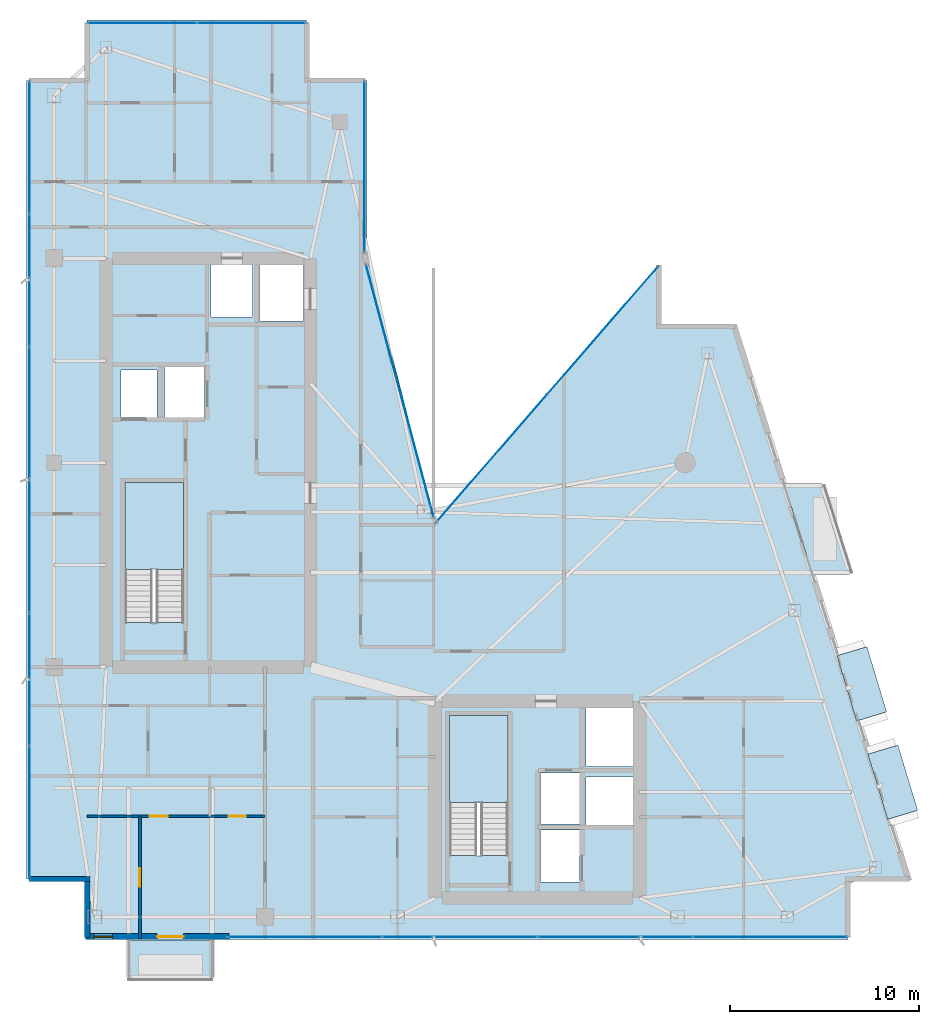
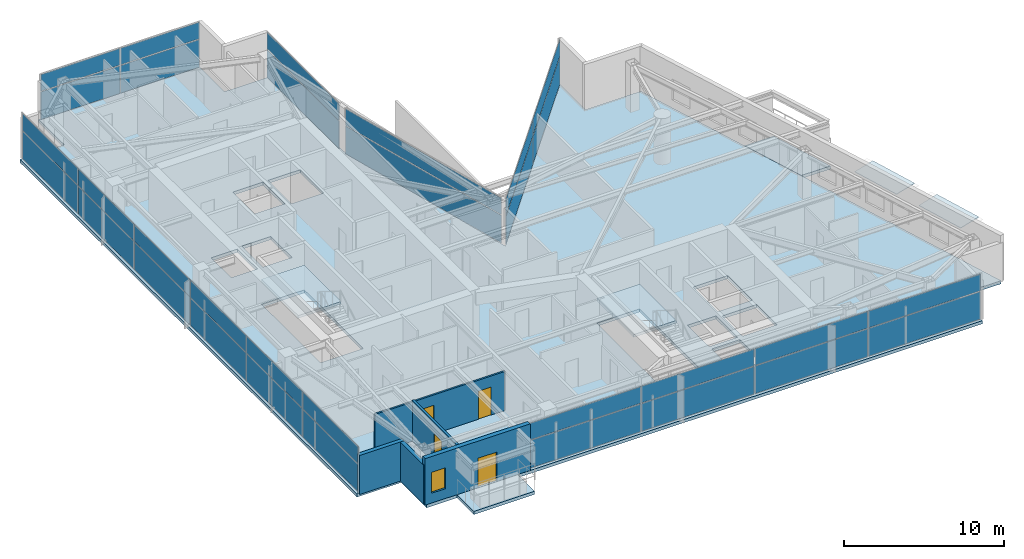
# One storey, part 23 of 29: 34 plates, 5 slabs, 5 walls, 4 doors, 1 window, 5 openings, 8 elements without a shape of their own.
"""IFC4 building model written with IfcOpenShell, lengths in metres."""

from ifc_helpers import new_model, si_unit, direction, frame, frame_2d, origin, origin_2d, place, context, subcontext, project, spatial, polyline, rectangle, outline, extrude, material, layer, layer_set, type_object, element, fill, aggregate, save


model = new_model("IFC4")

# Units and contexts
model_context = context("Model", 3, precision=1e-05, world=origin(), true_north=direction((0.0, 1.0)))
body_context = subcontext(model_context, "Body", "Model", "MODEL_VIEW")
ifc_project = project(units=[si_unit("LENGTHUNIT", "METRE"), si_unit("AREAUNIT", "SQUARE_METRE"), si_unit("VOLUMEUNIT", "CUBIC_METRE"), si_unit("PLANEANGLEUNIT", "RADIAN"), si_unit("MASSUNIT", "GRAM", prefix="KILO")], contexts=[model_context])

# Site, building, storey
site_placement = place(None, origin())
site = spatial("IfcSite", under=ifc_project, at=site_placement, CompositionType="ELEMENT")
building_placement = place(site_placement, origin())
building = spatial("IfcBuilding", under=site, at=building_placement, Name="Calvorn Quay Hotel", CompositionType="ELEMENT")
storey_placement = place(building_placement, frame((0.0, 0.0, 255.199951171875)))
storey = spatial("IfcBuildingStorey", under=building, at=storey_placement, Name="L63", CompositionType="ELEMENT", Elevation=255.199951171875)

# Curtain wall, plates
ifc_material_1 = material(Name="Champagne Bronze Anodised Aluminium and Low-E Glass", Category="aluminium")
ifc_layer_1 = layer(ifc_material_1, 0.219970703125)
ifc_layer_set_1 = layer_set([ifc_layer_1], Name="CW-SYS-Z4")
curtain_wall_type = type_object("IfcCurtainWallType", Name="CW-SYS-Z4", PredefinedType="NOTDEFINED", material=ifc_layer_set_1)
curtain_wall_1_placement = place(storey_placement, origin())
curtain_wall_1 = element("IfcCurtainWall", 1, at=curtain_wall_1_placement, inside=storey, type_object=curtain_wall_type, Name="Tower West Curtain Wall (L63)", PredefinedType="NOTDEFINED")
ifc_material_2 = material(Name="Low-E Laminated Double Glazing", Category="glass")
ifc_layer_2 = layer(ifc_material_2, 0.028076171875)
ifc_layer_set_2 = layer_set([ifc_layer_2], Name="CW-SYS-Z4-PAN")
plate_type_1 = type_object("IfcPlateType", Name="CW-SYS-Z4-PAN", PredefinedType="CURTAIN_PANEL", material=ifc_layer_set_2)
plate_1_placement = place(storey_placement, frame((0.14990234375, 9.131591796875, 0.06005859375), z_axis=(0.0, 0.0, 1.0), x_axis=(0.0, 1.0, 0.0)))
plate_1 = element("IfcPlate", 2, at=plate_1_placement, type_object=plate_type_1, Name="CW-L63-W panel 1.1", PredefinedType="CURTAIN_PANEL", context=body_context, shape_type="SweptSolid", body=[
    extrude(rectangle(XDim=6.943359375, YDim=0.028076171875, at=origin_2d()), origin(), (0.0, 0.0, 1.0), 2.110107421875),
])
plate_2_placement = place(storey_placement, frame((0.14990234375, 9.131591796875, 2.22998046875), z_axis=(0.0, 0.0, 1.0), x_axis=(0.0, 1.0, 0.0)))
plate_2 = element("IfcPlate", 3, at=plate_2_placement, type_object=plate_type_1, Name="CW-L63-W panel 1.2", PredefinedType="CURTAIN_PANEL", context=body_context, shape_type="SweptSolid", body=[
    extrude(rectangle(XDim=6.943359375, YDim=0.028076171875, at=origin_2d()), origin(), (0.0, 0.0, 1.0), 1.27001953125),
])
plate_3_placement = place(storey_placement, frame((0.14990234375, 16.14990234375, 0.06005859375), z_axis=(0.0, 0.0, 1.0), x_axis=(0.0, 1.0, 0.0)))
plate_3 = element("IfcPlate", 4, at=plate_3_placement, type_object=plate_type_1, Name="CW-L63-W panel 2.1", PredefinedType="CURTAIN_PANEL", context=body_context, shape_type="SweptSolid", body=[
    extrude(rectangle(XDim=6.973388671875, YDim=0.028076171875, at=origin_2d()), origin(), (0.0, 0.0, 1.0), 2.110107421875),
])
plate_4_placement = place(storey_placement, frame((0.14990234375, 16.14990234375, 2.22998046875), z_axis=(0.0, 0.0, 1.0), x_axis=(0.0, 1.0, 0.0)))
plate_4 = element("IfcPlate", 5, at=plate_4_placement, type_object=plate_type_1, Name="CW-L63-W panel 2.2", PredefinedType="CURTAIN_PANEL", context=body_context, shape_type="SweptSolid", body=[
    extrude(rectangle(XDim=6.973388671875, YDim=0.028076171875, at=origin_2d()), origin(), (0.0, 0.0, 1.0), 1.27001953125),
])
plate_5_placement = place(storey_placement, frame((0.14990234375, 23.183349609375, 0.06005859375), z_axis=(0.0, 0.0, 1.0), x_axis=(0.0, 1.0, 0.0)))
plate_5 = element("IfcPlate", 6, at=plate_5_placement, type_object=plate_type_1, Name="CW-L63-W panel 3.1", PredefinedType="CURTAIN_PANEL", context=body_context, shape_type="SweptSolid", body=[
    extrude(rectangle(XDim=6.973388671875, YDim=0.028076171875, at=origin_2d()), origin(), (0.0, 0.0, 1.0), 2.110107421875),
])
plate_6_placement = place(storey_placement, frame((0.14990234375, 23.183349609375, 2.22998046875), z_axis=(0.0, 0.0, 1.0), x_axis=(0.0, 1.0, 0.0)))
plate_6 = element("IfcPlate", 7, at=plate_6_placement, type_object=plate_type_1, Name="CW-L63-W panel 3.2", PredefinedType="CURTAIN_PANEL", context=body_context, shape_type="SweptSolid", body=[
    extrude(rectangle(XDim=6.973388671875, YDim=0.028076171875, at=origin_2d()), origin(), (0.0, 0.0, 1.0), 1.27001953125),
])
plate_7_placement = place(storey_placement, frame((0.14990234375, 30.216552734375, 0.06005859375), z_axis=(0.0, 0.0, 1.0), x_axis=(0.0, 1.0, 0.0)))
plate_7 = element("IfcPlate", 8, at=plate_7_placement, type_object=plate_type_1, Name="CW-L63-W panel 4.1", PredefinedType="CURTAIN_PANEL", context=body_context, shape_type="SweptSolid", body=[
    extrude(rectangle(XDim=6.973388671875, YDim=0.028076171875, at=origin_2d()), origin(), (0.0, 0.0, 1.0), 2.110107421875),
])
plate_8_placement = place(storey_placement, frame((0.14990234375, 30.216552734375, 2.22998046875), z_axis=(0.0, 0.0, 1.0), x_axis=(0.0, 1.0, 0.0)))
plate_8 = element("IfcPlate", 9, at=plate_8_placement, type_object=plate_type_1, Name="CW-L63-W panel 4.2", PredefinedType="CURTAIN_PANEL", context=body_context, shape_type="SweptSolid", body=[
    extrude(rectangle(XDim=6.973388671875, YDim=0.028076171875, at=origin_2d()), origin(), (0.0, 0.0, 1.0), 1.27001953125),
])
plate_9_placement = place(storey_placement, frame((0.14990234375, 37.25, 0.06005859375), z_axis=(0.0, 0.0, 1.0), x_axis=(0.0, 1.0, 0.0)))
plate_9 = element("IfcPlate", 10, at=plate_9_placement, type_object=plate_type_1, Name="CW-L63-W panel 5.1", PredefinedType="CURTAIN_PANEL", context=body_context, shape_type="SweptSolid", body=[
    extrude(rectangle(XDim=6.973388671875, YDim=0.028076171875, at=origin_2d()), origin(), (0.0, 0.0, 1.0), 2.110107421875),
])
plate_10_placement = place(storey_placement, frame((0.14990234375, 37.25, 2.22998046875), z_axis=(0.0, 0.0, 1.0), x_axis=(0.0, 1.0, 0.0)))
plate_10 = element("IfcPlate", 11, at=plate_10_placement, type_object=plate_type_1, Name="CW-L63-W panel 5.2", PredefinedType="CURTAIN_PANEL", context=body_context, shape_type="SweptSolid", body=[
    extrude(rectangle(XDim=6.973388671875, YDim=0.028076171875, at=origin_2d()), origin(), (0.0, 0.0, 1.0), 1.27001953125),
])
plate_11_placement = place(storey_placement, frame((0.14990234375, 44.268310546875, 0.06005859375), z_axis=(0.0, 0.0, 1.0), x_axis=(0.0, 1.0, 0.0)))
plate_11 = element("IfcPlate", 12, at=plate_11_placement, type_object=plate_type_1, Name="CW-L63-W panel 6.1", PredefinedType="CURTAIN_PANEL", context=body_context, shape_type="SweptSolid", body=[
    extrude(rectangle(XDim=6.943359375, YDim=0.028076171875, at=origin_2d()), origin(), (0.0, 0.0, 1.0), 2.110107421875),
])
plate_12_placement = place(storey_placement, frame((0.14990234375, 44.268310546875, 2.22998046875), z_axis=(0.0, 0.0, 1.0), x_axis=(0.0, 1.0, 0.0)))
plate_12 = element("IfcPlate", 13, at=plate_12_placement, type_object=plate_type_1, Name="CW-L63-W panel 6.2", PredefinedType="CURTAIN_PANEL", context=body_context, shape_type="SweptSolid", body=[
    extrude(rectangle(XDim=6.943359375, YDim=0.028076171875, at=origin_2d()), origin(), (0.0, 0.0, 1.0), 1.27001953125),
])
aggregate(curtain_wall_1, [plate_1, plate_2, plate_3, plate_4, plate_5, plate_6, plate_7, plate_8, plate_9, plate_10, plate_11, plate_12])

curtain_wall_2_placement = place(storey_placement, origin())
curtain_wall_2 = element("IfcCurtainWall", 14, at=curtain_wall_2_placement, inside=storey, type_object=curtain_wall_type, Name="Tower South Waterfront Curtain Wall (L63)", PredefinedType="NOTDEFINED")
plate_13_placement = place(storey_placement, frame((14.715087890625, 2.550048828125, 0.06005859375), z_axis=(0.0, 0.0, 1.0), x_axis=(1.0, 0.0, 0.0)))
plate_13 = element("IfcPlate", 15, at=plate_13_placement, type_object=plate_type_1, Name="CW-L63-S panel 1.1", PredefinedType="CURTAIN_PANEL", context=body_context, shape_type="SweptSolid", body=[
    extrude(rectangle(XDim=8.110107421875, YDim=0.028076171875, at=origin_2d()), origin(), (0.0, 0.0, 1.0), 2.110107421875),
])
plate_14_placement = place(storey_placement, frame((14.715087890625, 2.550048828125, 2.22998046875), z_axis=(0.0, 0.0, 1.0), x_axis=(1.0, 0.0, 0.0)))
plate_14 = element("IfcPlate", 16, at=plate_14_placement, type_object=plate_type_1, Name="CW-L63-S panel 1.2", PredefinedType="CURTAIN_PANEL", context=body_context, shape_type="SweptSolid", body=[
    extrude(rectangle(XDim=8.110107421875, YDim=0.028076171875, at=origin_2d()), origin(), (0.0, 0.0, 1.0), 1.27001953125),
])
plate_15_placement = place(storey_placement, frame((22.89990234375, 2.550048828125, 0.06005859375), z_axis=(0.0, 0.0, 1.0), x_axis=(1.0, 0.0, 0.0)))
plate_15 = element("IfcPlate", 17, at=plate_15_placement, type_object=plate_type_1, Name="CW-L63-S panel 2.1", PredefinedType="CURTAIN_PANEL", context=body_context, shape_type="SweptSolid", body=[
    extrude(rectangle(XDim=8.139892578125, YDim=0.028076171875, at=origin_2d()), origin(), (0.0, 0.0, 1.0), 2.110107421875),
])
plate_16_placement = place(storey_placement, frame((22.89990234375, 2.550048828125, 2.22998046875), z_axis=(0.0, 0.0, 1.0), x_axis=(1.0, 0.0, 0.0)))
plate_16 = element("IfcPlate", 18, at=plate_16_placement, type_object=plate_type_1, Name="CW-L63-S panel 2.2", PredefinedType="CURTAIN_PANEL", context=body_context, shape_type="SweptSolid", body=[
    extrude(rectangle(XDim=8.139892578125, YDim=0.028076171875, at=origin_2d()), origin(), (0.0, 0.0, 1.0), 1.27001953125),
])
plate_17_placement = place(storey_placement, frame((31.10009765625, 2.550048828125, 0.06005859375), z_axis=(0.0, 0.0, 1.0), x_axis=(1.0, 0.0, 0.0)))
plate_17 = element("IfcPlate", 19, at=plate_17_placement, type_object=plate_type_1, Name="CW-L63-S panel 3.1", PredefinedType="CURTAIN_PANEL", context=body_context, shape_type="SweptSolid", body=[
    extrude(rectangle(XDim=8.139892578125, YDim=0.028076171875, at=origin_2d()), origin(), (0.0, 0.0, 1.0), 2.110107421875),
])
plate_18_placement = place(storey_placement, frame((31.10009765625, 2.550048828125, 2.22998046875), z_axis=(0.0, 0.0, 1.0), x_axis=(1.0, 0.0, 0.0)))
plate_18 = element("IfcPlate", 20, at=plate_18_placement, type_object=plate_type_1, Name="CW-L63-S panel 3.2", PredefinedType="CURTAIN_PANEL", context=body_context, shape_type="SweptSolid", body=[
    extrude(rectangle(XDim=8.139892578125, YDim=0.028076171875, at=origin_2d()), origin(), (0.0, 0.0, 1.0), 1.27001953125),
])
plate_19_placement = place(storey_placement, frame((39.284912109375, 2.550048828125, 0.06005859375), z_axis=(0.0, 0.0, 1.0), x_axis=(1.0, 0.0, 0.0)))
plate_19 = element("IfcPlate", 21, at=plate_19_placement, type_object=plate_type_1, Name="CW-L63-S panel 4.1", PredefinedType="CURTAIN_PANEL", context=body_context, shape_type="SweptSolid", body=[
    extrude(rectangle(XDim=8.110107421875, YDim=0.028076171875, at=origin_2d()), origin(), (0.0, 0.0, 1.0), 2.110107421875),
])
plate_20_placement = place(storey_placement, frame((39.284912109375, 2.550048828125, 2.22998046875), z_axis=(0.0, 0.0, 1.0), x_axis=(1.0, 0.0, 0.0)))
plate_20 = element("IfcPlate", 22, at=plate_20_placement, type_object=plate_type_1, Name="CW-L63-S panel 4.2", PredefinedType="CURTAIN_PANEL", context=body_context, shape_type="SweptSolid", body=[
    extrude(rectangle(XDim=8.110107421875, YDim=0.028076171875, at=origin_2d()), origin(), (0.0, 0.0, 1.0), 1.27001953125),
])
aggregate(curtain_wall_2, [plate_13, plate_14, plate_15, plate_16, plate_17, plate_18, plate_19, plate_20])

curtain_wall_3_placement = place(storey_placement, origin())
curtain_wall_3 = element("IfcCurtainWall", 23, at=curtain_wall_3_placement, inside=storey, type_object=curtain_wall_type, Name="Inner Court Curtain Wall L63-NE1", PredefinedType="NOTDEFINED")
plate_21_placement = place(storey_placement, frame((30.440185546875, 34.588623046875, 0.06005859375), z_axis=(0.0, 0.0, 1.0), x_axis=(-0.655353317216, -0.755322467304, 0.0)))
plate_21 = element("IfcPlate", 24, at=plate_21_placement, type_object=plate_type_1, Name="CW-L63-NE1 panel 1.1", PredefinedType="CURTAIN_PANEL", context=body_context, shape_type="SweptSolid", body=[
    extrude(rectangle(XDim=8.912841796875, YDim=0.028076171875, at=origin_2d()), origin(), (0.0, 0.0, 1.0), 2.110107421875),
])
plate_22_placement = place(storey_placement, frame((30.440185546875, 34.588623046875, 2.22998046875), z_axis=(0.0, 0.0, 1.0), x_axis=(-0.655353317216, -0.755322467304, 0.0)))
plate_22 = element("IfcPlate", 25, at=plate_22_placement, type_object=plate_type_1, Name="CW-L63-NE1 panel 1.2", PredefinedType="CURTAIN_PANEL", context=body_context, shape_type="SweptSolid", body=[
    extrude(rectangle(XDim=8.912841796875, YDim=0.028076171875, at=origin_2d()), origin(), (0.0, 0.0, 1.0), 1.27001953125),
])
plate_23_placement = place(storey_placement, frame((24.559814453125, 27.811279296875, 0.06005859375), z_axis=(0.0, 0.0, 1.0), x_axis=(-0.655353317216, -0.755322467304, 0.0)))
plate_23 = element("IfcPlate", 26, at=plate_23_placement, type_object=plate_type_1, Name="CW-L63-NE1 panel 2.1", PredefinedType="CURTAIN_PANEL", context=body_context, shape_type="SweptSolid", body=[
    extrude(rectangle(XDim=8.912841796875, YDim=0.028076171875, at=origin_2d()), origin(), (0.0, 0.0, 1.0), 2.110107421875),
])
plate_24_placement = place(storey_placement, frame((24.559814453125, 27.811279296875, 2.22998046875), z_axis=(0.0, 0.0, 1.0), x_axis=(-0.655353317216, -0.755322467304, 0.0)))
plate_24 = element("IfcPlate", 27, at=plate_24_placement, type_object=plate_type_1, Name="CW-L63-NE1 panel 2.2", PredefinedType="CURTAIN_PANEL", context=body_context, shape_type="SweptSolid", body=[
    extrude(rectangle(XDim=8.912841796875, YDim=0.028076171875, at=origin_2d()), origin(), (0.0, 0.0, 1.0), 1.27001953125),
])
aggregate(curtain_wall_3, [plate_21, plate_22, plate_23, plate_24])

curtain_wall_4_placement = place(storey_placement, origin())
curtain_wall_4 = element("IfcCurtainWall", 28, at=curtain_wall_4_placement, inside=storey, type_object=curtain_wall_type, Name="Inner Court Curtain Wall L63-IC1", PredefinedType="NOTDEFINED")
plate_25_placement = place(storey_placement, frame((19.72509765625, 31.39990234375, 0.06005859375), z_axis=(0.0, 0.0, 1.0), x_axis=(-0.25877913024, 0.96593652056, 0.0)))
plate_25 = element("IfcPlate", 29, at=plate_25_placement, type_object=plate_type_1, Name="CW-L63-IC1 panel 1.1", PredefinedType="CURTAIN_PANEL", context=body_context, shape_type="SweptSolid", body=[
    extrude(rectangle(XDim=13.814697265625, YDim=0.028076171875, at=origin_2d()), origin(), (0.0, 0.0, 1.0), 2.110107421875),
])
plate_26_placement = place(storey_placement, frame((19.72509765625, 31.39990234375, 2.22998046875), z_axis=(0.0, 0.0, 1.0), x_axis=(-0.25877913024, 0.96593652056, 0.0)))
plate_26 = element("IfcPlate", 30, at=plate_26_placement, type_object=plate_type_1, Name="CW-L63-IC1 panel 1.2", PredefinedType="CURTAIN_PANEL", context=body_context, shape_type="SweptSolid", body=[
    extrude(rectangle(XDim=13.814697265625, YDim=0.028076171875, at=origin_2d()), origin(), (0.0, 0.0, 1.0), 1.27001953125),
])
aggregate(curtain_wall_4, [plate_25, plate_26])

curtain_wall_5_placement = place(storey_placement, origin())
curtain_wall_5 = element("IfcCurtainWall", 31, at=curtain_wall_5_placement, inside=storey, type_object=curtain_wall_type, Name="Inner Court Curtain Wall L63-IC2", PredefinedType="NOTDEFINED")
plate_27_placement = place(storey_placement, frame((17.85009765625, 43.239990234375, 0.06005859375), z_axis=(0.0, 0.0, 1.0), x_axis=(0.0, 1.0, 0.0)))
plate_27 = element("IfcPlate", 32, at=plate_27_placement, type_object=plate_type_1, Name="CW-L63-IC2 panel 1.1", PredefinedType="CURTAIN_PANEL", context=body_context, shape_type="SweptSolid", body=[
    extrude(rectangle(XDim=9.0, YDim=0.028076171875, at=origin_2d()), origin(), (0.0, 0.0, 1.0), 2.110107421875),
])
plate_28_placement = place(storey_placement, frame((17.85009765625, 43.239990234375, 2.22998046875), z_axis=(0.0, 0.0, 1.0), x_axis=(0.0, 1.0, 0.0)))
plate_28 = element("IfcPlate", 33, at=plate_28_placement, type_object=plate_type_1, Name="CW-L63-IC2 panel 1.2", PredefinedType="CURTAIN_PANEL", context=body_context, shape_type="SweptSolid", body=[
    extrude(rectangle(XDim=9.0, YDim=0.028076171875, at=origin_2d()), origin(), (0.0, 0.0, 1.0), 1.27001953125),
])
aggregate(curtain_wall_5, [plate_27, plate_28])

curtain_wall_6_placement = place(storey_placement, origin())
curtain_wall_6 = element("IfcCurtainWall", 34, at=curtain_wall_6_placement, inside=storey, type_object=curtain_wall_type, Name="Inner Court Curtain Wall L63-N1", PredefinedType="NOTDEFINED")
plate_29_placement = place(storey_placement, frame((11.885009765625, 50.85009765625, 0.06005859375), z_axis=(0.0, 0.0, 1.0), x_axis=(-1.0, 0.0, 0.0)))
plate_29 = element("IfcPlate", 35, at=plate_29_placement, type_object=plate_type_1, Name="CW-L63-N1 panel 1.1", PredefinedType="CURTAIN_PANEL", context=body_context, shape_type="SweptSolid", body=[
    extrude(rectangle(XDim=5.7099609375, YDim=0.028076171875, at=origin_2d()), origin(), (0.0, 0.0, 1.0), 2.110107421875),
])
plate_30_placement = place(storey_placement, frame((11.885009765625, 50.85009765625, 2.22998046875), z_axis=(0.0, 0.0, 1.0), x_axis=(-1.0, 0.0, 0.0)))
plate_30 = element("IfcPlate", 36, at=plate_30_placement, type_object=plate_type_1, Name="CW-L63-N1 panel 1.2", PredefinedType="CURTAIN_PANEL", context=body_context, shape_type="SweptSolid", body=[
    extrude(rectangle(XDim=5.7099609375, YDim=0.028076171875, at=origin_2d()), origin(), (0.0, 0.0, 1.0), 1.27001953125),
])
plate_31_placement = place(storey_placement, frame((6.114990234375, 50.85009765625, 0.06005859375), z_axis=(0.0, 0.0, 1.0), x_axis=(-1.0, 0.0, 0.0)))
plate_31 = element("IfcPlate", 37, at=plate_31_placement, type_object=plate_type_1, Name="CW-L63-N1 panel 2.1", PredefinedType="CURTAIN_PANEL", context=body_context, shape_type="SweptSolid", body=[
    extrude(rectangle(XDim=5.7099609375, YDim=0.028076171875, at=origin_2d()), origin(), (0.0, 0.0, 1.0), 2.110107421875),
])
plate_32_placement = place(storey_placement, frame((6.114990234375, 50.85009765625, 2.22998046875), z_axis=(0.0, 0.0, 1.0), x_axis=(-1.0, 0.0, 0.0)))
plate_32 = element("IfcPlate", 38, at=plate_32_placement, type_object=plate_type_1, Name="CW-L63-N1 panel 2.2", PredefinedType="CURTAIN_PANEL", context=body_context, shape_type="SweptSolid", body=[
    extrude(rectangle(XDim=5.7099609375, YDim=0.028076171875, at=origin_2d()), origin(), (0.0, 0.0, 1.0), 1.27001953125),
])
aggregate(curtain_wall_6, [plate_29, plate_30, plate_31, plate_32])

# Plates
ifc_material_3 = material(Name="Tempered Laminated Low-E Glass", Category="glass")
ifc_layer_3 = layer(ifc_material_3, 0.0380859375)
ifc_layer_set_3 = layer_set([ifc_layer_3], Name="PLT-HOOD-GLAZ")
plate_type_2 = type_object("IfcPlateType", Name="PLT-HOOD-GLAZ", PredefinedType="SHEET", material=ifc_layer_set_3)
for number, where, z_axis, x_axis, name in (
    (39, (45.77490234375, 10.718017578125, 2.467041015625), (0.0, 0.0, 1.0), (0.957319497532, 0.289031796944, 0.0), "Angled Glass Bay Hood Panel L63-HOOD-1"),
    (40, (44.135009765625, 15.91796875, 2.467041015625), (0.0, 0.0, 1.0), (0.957319497532, 0.289031796944, 0.0), "Angled Glass Bay Hood Panel L63-HOOD-2"),
):
    element("IfcPlate", number, at=place(storey_placement, frame(where, z_axis=z_axis, x_axis=x_axis)), inside=storey, type_object=plate_type_2, Name=name, PredefinedType="SHEET", context=body_context, shape_type="SweptSolid", body=[
        extrude(rectangle(XDim=1.659912109375, YDim=3.60009765625, at=origin_2d()), origin(), (0.0, 0.0, 1.0), 0.0380859375),
    ])

# Slabs
ifc_material_4 = material(Name="Concrete C40", Category="concrete")
ifc_layer_4 = layer(ifc_material_4, 0.239990234375)
ifc_layer_set_4 = layer_set([ifc_layer_4], Name="SLB-BALCONY-220")
slab_type_1 = type_object("IfcSlabType", Name="SLB-BALCONY-220", PredefinedType="FLOOR", material=ifc_layer_set_4)
slab_1_placement = place(storey_placement, frame((0.0, 0.0, -0.239990234375)))
element("IfcSlab", 41, at=slab_1_placement, inside=storey, type_object=slab_type_1, Name="Tree Balcony Slab L63-BALC-E", PredefinedType="FLOOR", context=body_context, shape_type="SweptSolid", body=[
    extrude(outline(polyline([(41.506103515625, 21.800048828125), (43.60595703125, 21.800048828125), (42.156982421875, 26.39990234375), (40.056884765625, 26.39990234375), (41.506103515625, 21.800048828125)])), origin(), (0.0, 0.0, 1.0), 0.239990234375),
])
slab_2_placement = place(storey_placement, frame((0.0, 0.0, -0.239990234375)))
element("IfcSlab", 42, at=slab_2_placement, inside=storey, type_object=slab_type_1, Name="Tree Balcony Slab L63-BALC-S", PredefinedType="FLOOR", context=body_context, shape_type="SweptSolid", body=[
    extrude(outline(polyline([(5.39990234375, 0.2900390625), (9.800048828125, 0.2900390625), (9.800048828125, 2.389892578125), (5.39990234375, 2.389892578125), (5.39990234375, 0.2900390625)])), origin(), (0.0, 0.0, 1.0), 0.239990234375),
])

# Stair, slab
ifc_material_5 = material(Name="Concrete C40", Category="concrete")
stair_type = type_object("IfcStairType", Name="STR-CORE-DOGLEG", PredefinedType="HALF_TURN_STAIR", material=ifc_material_5)
stair_1_placement = place(storey_placement, origin())
stair_1 = element("IfcStair", 43, at=stair_1_placement, inside=storey, type_object=stair_type, Name="L63 ST-W", PredefinedType="HALF_TURN_STAIR")
ifc_material_6 = material(Name="Concrete C40", Category="concrete")
ifc_layer_5 = layer(ifc_material_6, 0.199951171875)
ifc_layer_set_5 = layer_set([ifc_layer_5], Name="SLB-STAIR-LANDING-200")
slab_type_2 = type_object("IfcSlabType", Name="SLB-STAIR-LANDING-200", PredefinedType="LANDING", material=ifc_layer_set_5)
slab_3_placement = place(storey_placement, frame((0.0, 0.0, 1.699951171875)))
slab_3 = element("IfcSlab", 44, at=slab_3_placement, type_object=slab_type_2, Name="ST-W landing 1", PredefinedType="LANDING", context=body_context, shape_type="SweptSolid", body=[
    extrude(outline(polyline([(8.300048828125, 21.949951171875), (8.300048828125, 26.550048828125), (5.199951171875, 26.550048828125), (5.199951171875, 21.949951171875), (8.300048828125, 21.949951171875)])), origin(), (0.0, 0.0, 1.0), 0.2001953125),
])
aggregate(stair_1, [slab_3])

stair_2_placement = place(storey_placement, origin())
stair_2 = element("IfcStair", 45, at=stair_2_placement, inside=storey, type_object=stair_type, Name="L63 ST-E", PredefinedType="HALF_TURN_STAIR")
slab_4_placement = place(storey_placement, frame((0.0, 0.0, 1.699951171875)))
slab_4 = element("IfcSlab", 46, at=slab_4_placement, type_object=slab_type_2, Name="ST-E landing 1", PredefinedType="LANDING", context=body_context, shape_type="SweptSolid", body=[
    extrude(outline(polyline([(25.449951171875, 9.64990234375), (25.449951171875, 14.25), (22.35009765625, 14.25), (22.35009765625, 9.64990234375), (25.449951171875, 9.64990234375)])), origin(), (0.0, 0.0, 1.0), 0.2001953125),
])
aggregate(stair_2, [slab_4])

# Slab
ifc_material_7 = material(Name="Concrete C40", Category="concrete")
ifc_layer_6 = layer(ifc_material_7, 0.239990234375)
ifc_layer_set_6 = layer_set([ifc_layer_6], Name="SLB-TOWER-240")
slab_type_3 = type_object("IfcSlabType", Name="SLB-TOWER-240", PredefinedType="FLOOR", material=ifc_layer_set_6)
slab_5_placement = place(storey_placement, frame((0.0, 0.0, -0.239990234375)))
element("IfcSlab", 47, at=slab_5_placement, inside=storey, type_object=slab_type_3, Name="L63 Structural Floor Slab", PredefinedType="FLOOR", context=body_context, shape_type="SweptSolid", body=[
    extrude(outline(polyline([(0.0, 5.60009765625), (3.199951171875, 5.60009765625), (3.199951171875, 2.39990234375), (43.39990234375, 2.39990234375), (43.39990234375, 5.60009765625), (46.60009765625, 5.60009765625), (37.39990234375, 34.800048828125), (33.39990234375, 34.800048828125), (33.39990234375, 38.0), (21.60009765625, 24.39990234375), (18.0, 38.39990234375), (18.0, 47.800048828125), (14.800048828125, 47.800048828125), (14.800048828125, 51.0), (3.199951171875, 51.0), (3.199951171875, 47.800048828125), (0.0, 47.800048828125), (0.0, 5.60009765625)]), holes=[polyline([(5.199951171875, 19.156005859375), (8.300048828125, 19.156005859375), (8.300048828125, 26.550048828125), (5.199951171875, 26.550048828125), (5.199951171875, 19.156005859375)]), polyline([(22.35009765625, 6.85595703125), (25.449951171875, 6.85595703125), (25.449951171875, 14.25), (22.35009765625, 14.25), (22.35009765625, 6.85595703125)]), polyline([(5.0, 30.0), (6.89990234375, 30.0), (6.89990234375, 32.5), (5.0, 32.5), (5.0, 30.0)]), polyline([(7.300048828125, 30.0), (9.39990234375, 30.0), (9.39990234375, 32.64990234375), (7.300048828125, 32.64990234375), (7.300048828125, 30.0)]), polyline([(27.159912109375, 8.5), (29.2099609375, 8.5), (29.2099609375, 11.199951171875), (27.159912109375, 11.199951171875), (27.159912109375, 8.5)]), polyline([(27.159912109375, 5.449951171875), (29.2099609375, 5.449951171875), (29.2099609375, 8.199951171875), (27.159912109375, 8.199951171875), (27.159912109375, 5.449951171875)]), polyline([(12.300048828125, 35.10009765625), (14.639892578125, 35.10009765625), (14.639892578125, 38.0400390625), (12.300048828125, 38.0400390625), (12.300048828125, 35.10009765625)]), polyline([(9.75, 35.300048828125), (11.949951171875, 35.300048828125), (11.949951171875, 38.0400390625), (9.75, 38.0400390625), (9.75, 35.300048828125)]), polyline([(29.550048828125, 11.550048828125), (32.0400390625, 11.550048828125), (32.0400390625, 14.639892578125), (29.550048828125, 14.639892578125), (29.550048828125, 11.550048828125)]), polyline([(29.550048828125, 8.449951171875), (32.0400390625, 8.449951171875), (32.0400390625, 11.0), (29.550048828125, 11.0), (29.550048828125, 8.449951171875)])]), origin(), (0.0, 0.0, 1.0), 0.239990234375),
])

# Wall, openings, doors
ifc_material_8 = material(Name="Moisture-Resistant Tile-Backed Partition")
ifc_layer_7 = layer(ifc_material_8, 0.125)
ifc_layer_set_7 = layer_set([ifc_layer_7], Name="WL-ENSUITE-125")
wall_type_1 = type_object("IfcWallType", Name="WL-ENSUITE-125", PredefinedType="PARTITIONING", material=ifc_layer_set_7)
wall_1_placement = place(storey_placement, frame((3.199951171875, 8.919921875, 0.0), z_axis=(0.0, 0.0, 1.0), x_axis=(1.0, 0.0, 0.0)))
wall_1 = element("IfcWall", 48, at=wall_1_placement, inside=storey, type_object=wall_type_1, Name="Partition Wall L63-WL-U01-BH", PredefinedType="PARTITIONING", context=body_context, shape_type="SweptSolid", body=[
    extrude(rectangle(XDim=9.400146484375, YDim=0.125, at=frame_2d((4.7001953125, 0.0))), origin(), (0.0, 0.0, 1.0), 2.989990234375),
])
opening_1_placement = place(wall_1_placement, frame((3.300048828125, 0.0, 0.0)))
opening_1 = element("IfcOpeningElement", 49, at=opening_1_placement, cuts=wall_1, Name="Opening D-L63-S01", PredefinedType="OPENING", context=body_context, shape_type="SweptSolid", body=[
    extrude(rectangle(XDim=0.9599609375, YDim=2.199951171875, at=frame_2d((0.47998046875, 1.10009765625))), frame((0.0, 0.072509765625, 0.0), z_axis=(0.0, -1.0, 0.0), x_axis=(1.0, 0.0, 0.0)), (0.0, 0.0, 1.0), 0.14501953125),
])
opening_2_placement = place(wall_1_placement, frame((7.489990234375, 0.0, 0.0)))
opening_2 = element("IfcOpeningElement", 50, at=opening_2_placement, cuts=wall_1, Name="Opening D-L63-E01", PredefinedType="OPENING", context=body_context, shape_type="SweptSolid", body=[
    extrude(rectangle(XDim=0.89990234375, YDim=2.14990234375, at=frame_2d((0.449951171875, 1.074951171875))), frame((0.0, 0.072509765625, 0.0), z_axis=(0.0, -1.0, 0.0), x_axis=(1.0, 0.0, 0.0)), (0.0, 0.0, 1.0), 0.14501953125),
])
ifc_material_9 = material(Name="Moisture-Sealed Timber En-Suite Door", Category="wood")
door_type_1 = type_object("IfcDoorType", Name="DR-ENSUITE-900", OperationType="NOTDEFINED", PredefinedType="DOOR", material=ifc_material_9)
door_1_placement = place(opening_2_placement, origin())
door_1 = element("IfcDoor", 51, at=door_1_placement, inside=storey, type_object=door_type_1, Name="En-Suite Door 01", OperationType="SINGLE_SWING_RIGHT", OverallHeight=2.14990234375, OverallWidth=0.89990234375, PredefinedType="DOOR", context=body_context, shape_type="SweptSolid", body=[
    extrude(rectangle(XDim=0.89990234375, YDim=2.14990234375, at=frame_2d((0.449951171875, 1.074951171875))), frame((0.0, 0.02490234375, 0.0), z_axis=(0.0, -1.0, 0.0), x_axis=(1.0, 0.0, 0.0)), (0.0, 0.0, 1.0), 0.050048828125),
])
fill(opening_2, door_1)
ifc_material_10 = material(Name="Solid Timber Internal Suite Door", Category="wood")
door_type_2 = type_object("IfcDoorType", Name="DR-SUITE-INT-960", OperationType="NOTDEFINED", PredefinedType="DOOR", material=ifc_material_10)
door_2_placement = place(opening_1_placement, origin())
door_2 = element("IfcDoor", 52, at=door_2_placement, inside=storey, type_object=door_type_2, Name="Children Play Nursery Door 01", OperationType="SINGLE_SWING_LEFT", OverallHeight=2.199951171875, OverallWidth=0.9599609375, PredefinedType="DOOR", context=body_context, shape_type="SweptSolid", body=[
    extrude(rectangle(XDim=0.9599609375, YDim=2.199951171875, at=frame_2d((0.47998046875, 1.10009765625))), frame((0.0, 0.02490234375, 0.0), z_axis=(0.0, -1.0, 0.0), x_axis=(1.0, 0.0, 0.0)), (0.0, 0.0, 1.0), 0.050048828125),
])
fill(opening_1, door_2)

# Wall, openings, door, window
ifc_material_11 = material(Name="Concrete C40", Category="concrete")
ifc_layer_8 = layer(ifc_material_11, 0.320068359375)
ifc_layer_set_8 = layer_set([ifc_layer_8], Name="WL-EXT-SPANDREL-320")
wall_type_2 = type_object("IfcWallType", Name="WL-EXT-SPANDREL-320", PredefinedType="SOLIDWALL", material=ifc_layer_set_8)
wall_2_placement = place(storey_placement, frame((3.10009765625, 2.56005859375, 0.0), z_axis=(0.0, 0.0, 1.0), x_axis=(1.0, 0.0, 0.0)))
wall_2 = element("IfcWall", 53, at=wall_2_placement, inside=storey, type_object=wall_type_2, Name="South Balcony Exterior Wall (L63)", PredefinedType="SOLIDWALL", context=body_context, shape_type="SweptSolid", body=[
    extrude(rectangle(XDim=7.599853515625, YDim=0.320068359375, at=frame_2d((3.7998046875, 0.0))), origin(), (0.0, 0.0, 1.0), 3.56005859375),
])
opening_3_placement = place(wall_2_placement, frame((0.449951171875, 0.0, 0.75)))
opening_3 = element("IfcOpeningElement", 54, at=opening_3_placement, cuts=wall_2, Name="Opening WSB-L63-1", PredefinedType="OPENING", context=body_context, shape_type="SweptSolid", body=[
    extrude(rectangle(XDim=1.0, YDim=1.60009765625, at=frame_2d((0.5, 0.800048828125))), frame((0.0, 0.169921875, 0.0), z_axis=(0.0, -1.0, 0.0), x_axis=(1.0, 0.0, 0.0)), (0.0, 0.0, 1.0), 0.340087890625),
])
opening_4_placement = place(wall_2_placement, frame((3.800048828125, 0.0, 0.0)))
opening_4 = element("IfcOpeningElement", 55, at=opening_4_placement, cuts=wall_2, Name="Opening DB-L63-2", PredefinedType="OPENING", context=body_context, shape_type="SweptSolid", body=[
    extrude(rectangle(XDim=1.39990234375, YDim=2.25, at=frame_2d((0.699951171875, 1.125))), frame((0.0, 0.169921875, 0.0), z_axis=(0.0, -1.0, 0.0), x_axis=(1.0, 0.0, 0.0)), (0.0, 0.0, 1.0), 0.340087890625),
])
ifc_material_12 = material(Name="Typhoon-Rated Low-E Aluminium Terrace Door", Category="aluminium")
door_type_3 = type_object("IfcDoorType", Name="DR-BALCONY-GLZ-1400", OperationType="NOTDEFINED", PredefinedType="DOOR", material=ifc_material_12)
door_3_placement = place(opening_4_placement, origin())
door_3 = element("IfcDoor", 56, at=door_3_placement, inside=storey, type_object=door_type_3, Name="Tree Balcony Terrace Door L63-BALC-S", OperationType="SINGLE_SWING_LEFT", OverallHeight=2.25, OverallWidth=1.39990234375, PredefinedType="DOOR", context=body_context, shape_type="SweptSolid", body=[
    extrude(rectangle(XDim=1.39990234375, YDim=2.25, at=frame_2d((0.699951171875, 1.125))), frame((0.0, 0.02490234375, 0.0), z_axis=(0.0, -1.0, 0.0), x_axis=(1.0, 0.0, 0.0)), (0.0, 0.0, 1.0), 0.050048828125),
])
fill(opening_4, door_3)
ifc_material_13 = material(Name="Self-Closing Class B Side Fire Window")
window_type = type_object("IfcWindowType", Name="WIN-REFUGE-NARROW-1000x1600", PartitioningType="SINGLE_PANEL", PredefinedType="WINDOW", material=ifc_material_13)
window_placement = place(opening_3_placement, origin())
window = element("IfcWindow", 57, at=window_placement, inside=storey, type_object=window_type, Name="South Waterfront Side Window (L63)", OverallHeight=1.60009765625, OverallWidth=1.0, PartitioningType="SINGLE_PANEL", PredefinedType="WINDOW", context=body_context, shape_type="SweptSolid", body=[
    extrude(rectangle(XDim=1.0, YDim=1.60009765625, at=frame_2d((0.5, 0.800048828125))), frame((0.0, 0.030029296875, 0.0), z_axis=(0.0, -1.0, 0.0), x_axis=(1.0, 0.0, 0.0)), (0.0, 0.0, 1.0), 0.06005859375),
])
fill(opening_3, window)

# Walls
wall_3_placement = place(storey_placement, frame((0.1201171875, 5.60009765625, 0.0), z_axis=(0.0, 0.0, 1.0), x_axis=(1.0, 0.0, 0.0)))
element("IfcWall", 58, at=wall_3_placement, inside=storey, type_object=wall_type_2, Name="Notched Corner Spandrel L63-SW1", PredefinedType="SOLIDWALL", context=body_context, shape_type="SweptSolid", body=[
    extrude(rectangle(XDim=3.219970703125, YDim=0.280029296875, at=frame_2d((1.60986328125, 0.0))), origin(), (0.0, 0.0, 1.0), 2.989990234375),
])
wall_4_placement = place(storey_placement, frame((3.199951171875, 5.4599609375, 0.0), z_axis=(0.0, 0.0, 1.0), x_axis=(0.0, -1.0, 0.0)))
element("IfcWall", 59, at=wall_4_placement, inside=storey, type_object=wall_type_2, Name="Notched Corner Spandrel L63-SW2", PredefinedType="SOLIDWALL", context=body_context, shape_type="SweptSolid", body=[
    extrude(rectangle(XDim=2.93994140625, YDim=0.280029296875, at=frame_2d((1.469970703125, 0.0))), origin(), (0.0, 0.0, 1.0), 2.989990234375),
])

# Wall, opening, door
ifc_material_14 = material(Name="Double-Stud Acoustic Gypsum Partition")
ifc_layer_9 = layer(ifc_material_14, 0.159912109375)
ifc_layer_set_9 = layer_set([ifc_layer_9], Name="WL-INTERSUITE-160")
wall_type_3 = type_object("IfcWallType", Name="WL-INTERSUITE-160", PredefinedType="PARTITIONING", material=ifc_layer_set_9)
wall_5_placement = place(storey_placement, frame((5.97998046875, 2.43994140625, 0.0), z_axis=(0.0, 0.0, 1.0), x_axis=(0.0, 1.0, 0.0)))
wall_5 = element("IfcWall", 60, at=wall_5_placement, inside=storey, type_object=wall_type_3, Name="Partition Wall L63-WL-U01-MSP", PredefinedType="PARTITIONING", context=body_context, shape_type="SweptSolid", body=[
    extrude(rectangle(XDim=6.47998046875, YDim=0.159912109375, at=frame_2d((3.239990234375, 0.0))), origin(), (0.0, 0.0, 1.0), 3.090087890625),
])
opening_5_placement = place(wall_5_placement, frame((2.760009765625, 0.0, 0.0)))
opening_5 = element("IfcOpeningElement", 61, at=opening_5_placement, cuts=wall_5, Name="Opening D-L63-M01", PredefinedType="OPENING", context=body_context, shape_type="SweptSolid", body=[
    extrude(rectangle(XDim=0.9599609375, YDim=2.199951171875, at=frame_2d((0.47998046875, 1.10009765625))), frame((0.0, 0.08984375, 0.0), z_axis=(0.0, -1.0, 0.0), x_axis=(1.0, 0.0, 0.0)), (0.0, 0.0, 1.0), 0.179931640625),
])
door_4_placement = place(opening_5_placement, origin())
door_4 = element("IfcDoor", 62, at=door_4_placement, inside=storey, type_object=door_type_2, Name="Suite Bedroom Door 01", OperationType="SINGLE_SWING_LEFT", OverallHeight=2.199951171875, OverallWidth=0.9599609375, PredefinedType="DOOR", context=body_context, shape_type="SweptSolid", body=[
    extrude(rectangle(XDim=0.9599609375, YDim=2.199951171875, at=frame_2d((0.47998046875, 1.10009765625))), frame((0.0, 0.02490234375, 0.0), z_axis=(0.0, -1.0, 0.0), x_axis=(1.0, 0.0, 0.0)), (0.0, 0.0, 1.0), 0.050048828125),
])
fill(opening_5, door_4)

save(model, "model.ifc")
